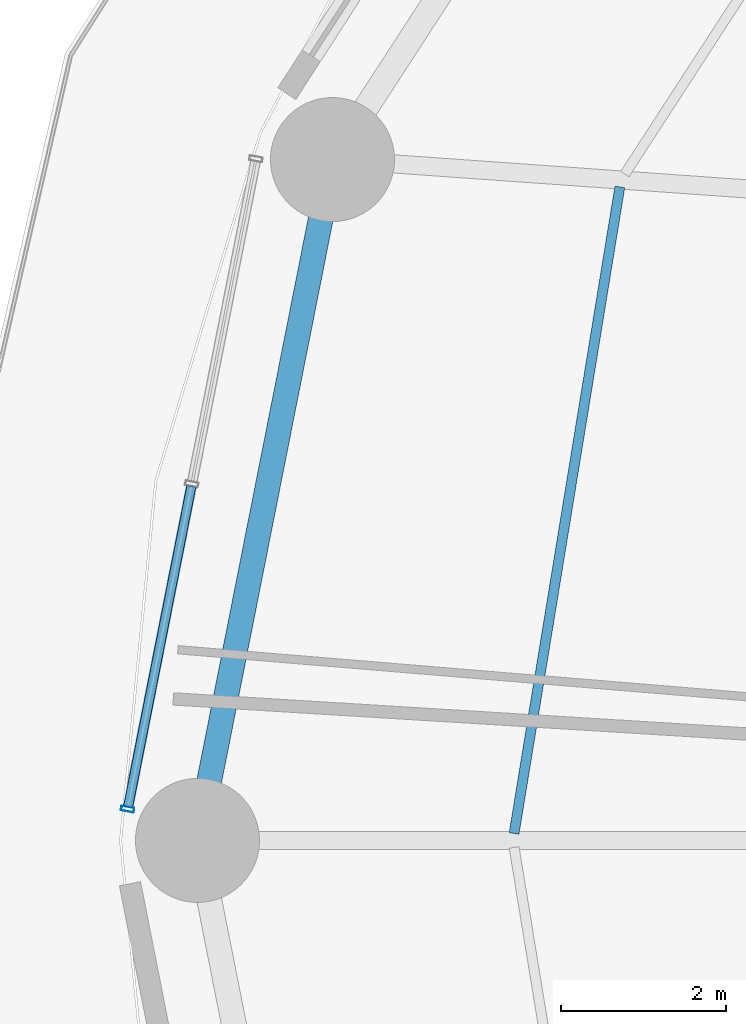
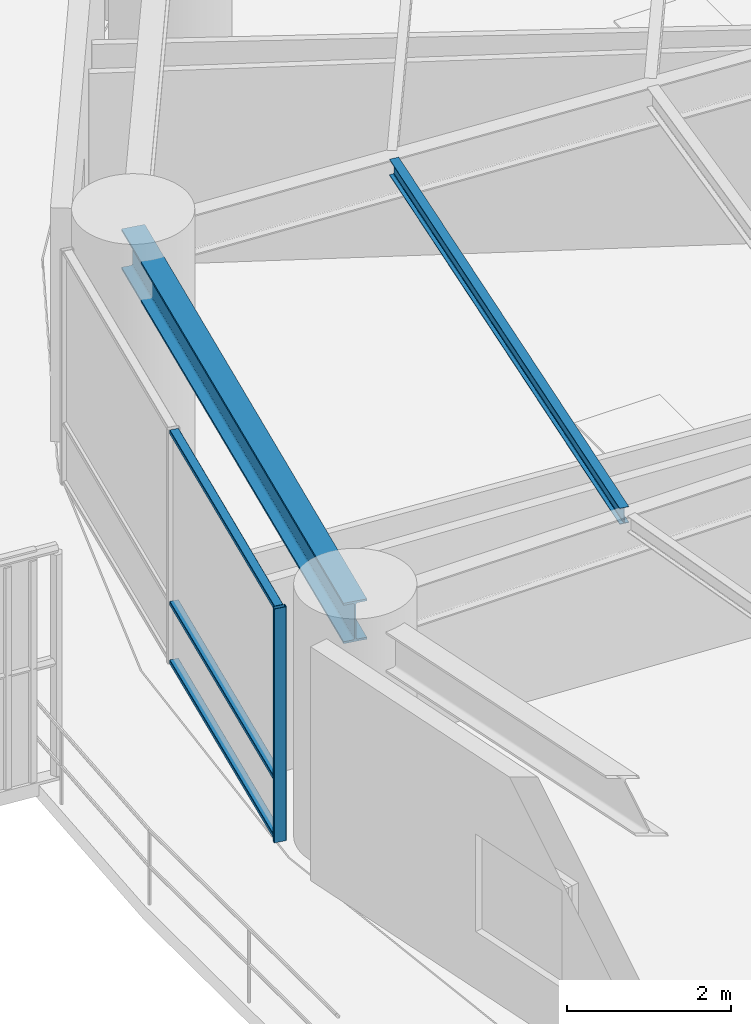
# One storey, part 6 of 32: 4 members, 2 beams, 1 element without a shape of its own.
"""IFC4 building model written with IfcOpenShell, lengths in metres."""

import ifcopenshell
import ifcopenshell.guid

model = None  # the IFC model being written
_history = None  # IfcOwnerHistory: only IFC2X3 demands one
_inside = {}  # id of a spatial element -> (the spatial element, [elements in it])
_under = {}  # id of a project, library or spatial element -> (it, [spatial elements below it])
_declared = {}  # id of a project -> (the project, [libraries it declares])
_typed = {}  # id of a type object -> (the type object, [elements of that type])
_made_of = {}  # id of a material, layer set ... -> (it, [elements and type objects made of it])


def new_model(schema):
    """Start an empty IFC model of exactly this schema.

    Asked for "IFC4X3", IfcOpenShell would pick the latest addendum, in which some entities
    have other attributes; the version numbers below select the first issue.
    IFC2X3 requires an IfcOwnerHistory on every rooted entity: one is made here for all.
    """
    global model, _history
    if schema == "IFC4X3":
        model = ifcopenshell.file(schema_version=(4, 3, 0, 0))
    else:
        model = ifcopenshell.file(schema=schema)
    _inside.clear()
    _under.clear()
    _declared.clear()
    _typed.clear()
    _made_of.clear()
    _history = None
    if model.schema == "IFC2X3":
        org = make("IfcOrganization", Name="unknown")
        user = make(
            "IfcPersonAndOrganization",
            ThePerson=make("IfcPerson", FamilyName="unknown"),
            TheOrganization=org,
        )
        app = make(
            "IfcApplication",
            ApplicationDeveloper=org,
            Version="unknown",
            ApplicationFullName="unknown",
            ApplicationIdentifier="unknown",
        )
        _history = make(
            "IfcOwnerHistory",
            OwningUser=user,
            OwningApplication=app,
            ChangeAction="ADDED",
            CreationDate=0,
        )
    return model


def make(cls, **values):
    """One entity of the class cls with the attributes given. An attribute that is None is left unset."""
    return model.create_entity(
        cls, **{name: value for name, value in values.items() if value is not None}
    )


def rooted(cls, **values):
    """An entity with a GlobalId (a new one), such as an element, a storey or a relation."""
    return make(cls, GlobalId=ifcopenshell.guid.new(), OwnerHistory=_history, **values)


def si_unit(unit_type, name, prefix=None):
    """IfcSIUnit, for example si_unit("LENGTHUNIT", "METRE", prefix="MILLI")."""
    return make("IfcSIUnit", UnitType=unit_type, Prefix=prefix, Name=name)


def assignment(units):
    """IfcUnitAssignment: the units of a project."""
    return None if units is None else make("IfcUnitAssignment", Units=units)


def point(xyz):
    """IfcCartesianPoint."""
    return None if xyz is None else make("IfcCartesianPoint", Coordinates=xyz)


def direction(xyz):
    """IfcDirection."""
    return None if xyz is None else make("IfcDirection", DirectionRatios=xyz)


def frame(location, z_axis=None, x_axis=None):
    """IfcAxis2Placement3D, a coordinate frame: its origin and axes. An axis left out is left unset."""
    return make(
        "IfcAxis2Placement3D",
        Location=point(location),
        Axis=direction(z_axis),
        RefDirection=direction(x_axis),
    )


def frame_2d(location, x_axis=None):
    """IfcAxis2Placement2D, a coordinate frame in the plane: its origin and x axis."""
    return make(
        "IfcAxis2Placement2D", Location=point(location), RefDirection=direction(x_axis)
    )


def origin():
    """The frame at (0, 0, 0) with its axes left unset."""
    return frame((0.0, 0.0, 0.0))


def origin_2d():
    """The frame at (0, 0) in the plane with its x axis left unset."""
    return frame_2d((0.0, 0.0))


def place(relative_to, where):
    """IfcLocalPlacement: puts the frame where relative to a parent placement (None: the world)."""
    return make(
        "IfcLocalPlacement", PlacementRelTo=relative_to, RelativePlacement=where
    )


def context(
    kind, dimensions, precision=None, world=None, true_north=None, identifier=None
):
    """IfcGeometricRepresentationContext, for example the 3D "Model" context."""
    return make(
        "IfcGeometricRepresentationContext",
        ContextIdentifier=identifier,
        ContextType=kind,
        CoordinateSpaceDimension=dimensions,
        Precision=precision,
        WorldCoordinateSystem=world,
        TrueNorth=true_north,
    )


def subcontext(parent, identifier, kind, view, scale=None):
    """IfcGeometricRepresentationSubContext, for example "Body" below "Model"."""
    return make(
        "IfcGeometricRepresentationSubContext",
        ContextIdentifier=identifier,
        ContextType=kind,
        ParentContext=parent,
        TargetScale=scale,
        TargetView=view,
    )


def project(units=None, contexts=None):
    """IfcProject with its units and contexts."""
    return rooted(
        "IfcProject",
        Name="project",
        RepresentationContexts=contexts,
        UnitsInContext=assignment(units),
    )


def spatial(cls, under=None, at=None, **own):
    """A site, building, storey or space (cls), placed at a placement, below another one or the project."""
    s = rooted(cls, ObjectPlacement=at, **own)
    if under is not None:
        _under.setdefault(under.id(), (under, []))[1].append(s)
    return s


def profile(cls, at=None, kind="AREA", **sizes):
    """A parametric profile (cls). Its sizes go by their IFC names, for example OverallWidth=200.0."""
    return make(cls, ProfileType=kind, Position=at, **sizes)


def hollow_rectangle(**sizes):
    """IfcRectangleHollowProfileDef."""
    return profile("IfcRectangleHollowProfileDef", **sizes)


def i_section(**sizes):
    """IfcIShapeProfileDef."""
    return profile("IfcIShapeProfileDef", **sizes)


def extrude(swept, where, along, depth):
    """IfcExtrudedAreaSolid: the profile swept, set in the frame where, extruded along a direction by depth."""
    return make(
        "IfcExtrudedAreaSolid",
        SweptArea=swept,
        Position=where,
        ExtrudedDirection=direction(along),
        Depth=depth,
    )


def shape(context_of_items, identifier, shape_type, items):
    """IfcShapeRepresentation: the items that make up one representation, for example the "Body"."""
    return make(
        "IfcShapeRepresentation",
        ContextOfItems=context_of_items,
        RepresentationIdentifier=identifier,
        RepresentationType=shape_type,
        Items=items,
    )


def material(Name=None, Category=None):
    """IfcMaterial."""
    return make("IfcMaterial", Name=Name, Category=Category)


def layer(
    of_material, thickness, ventilated=None, Name=None, Category=None, Priority=None
):
    """IfcMaterialLayer: one layer of a wall or slab, of a material (None: an air gap)."""
    return make(
        "IfcMaterialLayer",
        Material=of_material,
        LayerThickness=thickness,
        IsVentilated=ventilated,
        Name=Name,
        Category=Category,
        Priority=Priority,
    )


def layer_set(layers, Name=None):
    """IfcMaterialLayerSet."""
    return make("IfcMaterialLayerSet", MaterialLayers=layers, LayerSetName=Name)


def material_profile(
    of_material, cross_section, Name=None, Category=None, Priority=None
):
    """IfcMaterialProfile: a cross section and its material."""
    return make(
        "IfcMaterialProfile",
        Name=Name,
        Material=of_material,
        Profile=cross_section,
        Priority=Priority,
        Category=Category,
    )


def profile_set(profiles, Name=None, composite=None):
    """IfcMaterialProfileSet."""
    return make(
        "IfcMaterialProfileSet",
        Name=Name,
        MaterialProfiles=profiles,
        CompositeProfile=composite,
    )


def made_of(thing, what):
    """Note that an element or type object is made of a material, layer set ...; save() writes the relation."""
    if what is not None:
        _made_of.setdefault(what.id(), (what, []))[1].append(thing)
    return thing


def type_object(cls, material=None, **own):
    """A type object (cls), such as IfcWallType, which elements share."""
    return made_of(rooted(cls, **own), material)


def element(
    cls,
    number,
    at=None,
    inside=None,
    cuts=None,
    type_object=None,
    material=None,
    context=None,
    identifier="Body",
    shape_type=None,
    held_by="IfcProductDefinitionShape",
    body=None,
    shapes=None,
    **own,
):
    """One element of the class cls, such as IfcWall. Its Tag is "e" and its number.

    at: its placement. inside: the storey or other place that contains it. cuts: it is an
    opening in that element (IfcRelVoidsElement). A single representation is given by context,
    identifier, shape_type and body (its items); several are given by shapes. held_by: the class
    of the entity that holds the representations. save() writes the other relations.
    """
    e = rooted(cls, Tag="e%d" % number, ObjectPlacement=at, **own)
    if body is not None:
        shapes = [shape(context, identifier, shape_type, body)]
    if shapes is not None:
        e.Representation = make(held_by, Representations=shapes)
    if inside is not None:
        _inside.setdefault(inside.id(), (inside, []))[1].append(e)
    if cuts is not None:
        rooted(
            "IfcRelVoidsElement", RelatingBuildingElement=cuts, RelatedOpeningElement=e
        )
    if type_object is not None:
        _typed.setdefault(type_object.id(), (type_object, []))[1].append(e)
    return made_of(e, material)


def aggregate(whole, parts):
    """IfcRelAggregates: a whole, such as a stair, and the parts it consists of."""
    return rooted("IfcRelAggregates", RelatingObject=whole, RelatedObjects=parts)


def save(model, path):
    """Write the relations noted so far, then the file.

    IfcRelAggregates (storeys below a building ...), IfcRelContainedInSpatialStructure (elements
    in a storey), IfcRelDefinesByType, IfcRelAssociatesMaterial and IfcRelDeclares: one each for
    every whole, place, type object, material and project.
    """
    for whole, parts in _under.values():
        aggregate(whole, parts)
    for where, things in _inside.values():
        rooted(
            "IfcRelContainedInSpatialStructure",
            RelatedElements=things,
            RelatingStructure=where,
        )
    for kind, things in _typed.values():
        rooted("IfcRelDefinesByType", RelatedObjects=things, RelatingType=kind)
    for what, things in _made_of.values():
        rooted("IfcRelAssociatesMaterial", RelatedObjects=things, RelatingMaterial=what)
    for by, libraries in _declared.values():
        rooted("IfcRelDeclares", RelatingContext=by, RelatedDefinitions=libraries)
    model.write(path)


model = new_model("IFC4")

# Units and contexts
model_context = context("Model", 3, precision=1e-05, world=origin(), true_north=direction((0.0, 1.0)))
body_context = subcontext(model_context, "Body", "Model", "MODEL_VIEW")
ifc_project = project(units=[si_unit("LENGTHUNIT", "METRE"), si_unit("AREAUNIT", "SQUARE_METRE"), si_unit("VOLUMEUNIT", "CUBIC_METRE"), si_unit("PLANEANGLEUNIT", "RADIAN"), si_unit("MASSUNIT", "GRAM", prefix="KILO")], contexts=[model_context])

# Site, building, storey
site_placement = place(None, origin())
site = spatial("IfcSite", under=ifc_project, at=site_placement, CompositionType="ELEMENT")
building_placement = place(site_placement, origin())
building = spatial("IfcBuilding", under=site, at=building_placement, Name="Kelanora Arch Commons", CompositionType="ELEMENT")
storey_placement = place(building_placement, frame((0.0, 0.0, 56.25)))
storey = spatial("IfcBuildingStorey", under=building, at=storey_placement, Name="L14", CompositionType="ELEMENT", Elevation=56.25)

# Beams
ifc_material_1 = material(Name="Steel S355", Category="steel")
ifc_material_profile_1 = material_profile(ifc_material_1, i_section(OverallWidth=0.1201171875, OverallDepth=0.239990234375, WebThickness=0.006103515625, FlangeThickness=0.009765625, FilletRadius=0.014892578125, at=origin_2d()), Name="IPE240")
ifc_profile_set_1 = profile_set([ifc_material_profile_1], Name="Steel S355")
beam_type_1 = type_object("IfcBeamType", Name="BM-JST-02", PredefinedType="JOIST", material=ifc_profile_set_1)
beam_1_placement = place(storey_placement, frame((52.02880859375, 65.90478515625, 3.3701171875), z_axis=(-0.161400737199, -0.986888951216, 0.0), x_axis=(0.986888951216, -0.161400737199, 0.0)))
element("IfcBeam", 1, at=beam_1_placement, inside=storey, type_object=beam_type_1, Name="Secondary Chord Joist BJC-16 L14", PredefinedType="JOIST", context=body_context, shape_type="SweptSolid", body=[
    extrude(i_section(OverallWidth=0.1201171875, OverallDepth=0.239990234375, WebThickness=0.006103515625, FlangeThickness=0.009765625, FilletRadius=0.014892578125, at=origin_2d()), origin(), (0.0, 0.0, 1.0), 7.9248046875),
])
ifc_material_profile_2 = material_profile(ifc_material_1, i_section(OverallWidth=0.300048828125, OverallDepth=0.60009765625, WebThickness=0.015380859375, FlangeThickness=0.030029296875, FilletRadius=0.027099609375, at=origin_2d()), Name="HEB600")
ifc_profile_set_2 = profile_set([ifc_material_profile_2], Name="Steel S355")
beam_type_2 = type_object("IfcBeamType", Name="BM-SPN-Z1", PredefinedType="SPANDREL", material=ifc_profile_set_2)
beam_2_placement = place(storey_placement, frame((48.552978515625, 66.23583984375, 3.18994140625), z_axis=(-0.194499827256, -0.980902552345, 0.0), x_axis=(0.980902552345, -0.194499827256, 0.0)))
element("IfcBeam", 2, at=beam_2_placement, inside=storey, type_object=beam_type_2, Name="Perimeter Spandrel Beam BS-16 L14", PredefinedType="SPANDREL", context=body_context, shape_type="SweptSolid", body=[
    extrude(i_section(OverallWidth=0.300048828125, OverallDepth=0.60009765625, WebThickness=0.015380859375, FlangeThickness=0.030029296875, FilletRadius=0.027099609375, at=origin_2d()), origin(), (0.0, 0.0, 1.0), 8.396240234375),
])

# Curtain wall, members
ifc_material_2 = material(Name="Terracotta ceramic-fritted low-E glass and aluminium", Category="masonry")
ifc_layer = layer(ifc_material_2, 0.159912109375)
ifc_layer_set = layer_set([ifc_layer], Name="Terracotta ceramic-fritted low-E glass and aluminium")
curtain_wall_type = type_object("IfcCurtainWallType", Name="CW-SYS-01", PredefinedType="NOTDEFINED", material=ifc_layer_set)
curtain_wall_placement = place(storey_placement, origin())
curtain_wall = element("IfcCurtainWall", 3, at=curtain_wall_placement, inside=storey, type_object=curtain_wall_type, Name="Unitised Curtain Wall L14-B08", PredefinedType="NOTDEFINED")
ifc_material_3 = material(Name="Powder-coated aluminium terracotta", Category="masonry")
ifc_material_profile_3 = material_profile(ifc_material_3, hollow_rectangle(XDim=0.159912109375, YDim=0.06005859375, WallThickness=0.0048828125, InnerFilletRadius=0.0048828125, OuterFilletRadius=0.010009765625, at=origin_2d()), Name="CWM160x60")
ifc_profile_set_3 = profile_set([ifc_material_profile_3], Name="Powder-coated aluminium terracotta")
member_type_1 = type_object("IfcMemberType", Name="CWM-STD", PredefinedType="MULLION", material=ifc_profile_set_3)
member_1_placement = place(storey_placement, frame((46.074951171875, 58.379150390625, 0.0), z_axis=(0.0, 0.0, 1.0), x_axis=(0.981052110579, -0.193744048498, 0.0)))
member_1 = element("IfcMember", 4, at=member_1_placement, type_object=member_type_1, Name="CW-01 mullion 3", PredefinedType="MULLION", context=body_context, shape_type="SweptSolid", body=[
    extrude(hollow_rectangle(XDim=0.159912109375, YDim=0.06005859375, WallThickness=0.0048828125, InnerFilletRadius=0.0048828125, OuterFilletRadius=0.010009765625, at=origin_2d()), origin(), (0.0, 0.0, 1.0), 3.47509765625),
])
ifc_material_profile_4 = material_profile(ifc_material_3, hollow_rectangle(XDim=0.1201171875, YDim=0.06005859375, WallThickness=0.0048828125, InnerFilletRadius=0.0048828125, OuterFilletRadius=0.010009765625, at=origin_2d()), Name="CWT120x60")
ifc_profile_set_4 = profile_set([ifc_material_profile_4], Name="Powder-coated aluminium terracotta")
member_type_2 = type_object("IfcMemberType", Name="CWT-STD", PredefinedType="USERDEFINED", material=ifc_profile_set_4)
member_2_placement = place(storey_placement, frame((46.845703125, 62.281982421875, 0.030029296875), z_axis=(-0.193725436624, -0.98105578598, 0.0), x_axis=(0.98105578598, -0.193725436624, 0.0)))
member_2 = element("IfcMember", 5, at=member_2_placement, type_object=member_type_2, Name="CW-01 transom 2.1", ObjectType="TRANSOM", PredefinedType="USERDEFINED", context=body_context, shape_type="SweptSolid", body=[
    extrude(hollow_rectangle(XDim=0.1201171875, YDim=0.06005859375, WallThickness=0.0048828125, InnerFilletRadius=0.0048828125, OuterFilletRadius=0.010009765625, at=origin_2d()), origin(), (0.0, 0.0, 1.0), 3.9482421875),
])
member_3_placement = place(storey_placement, frame((46.845703125, 62.281982421875, 0.89990234375), z_axis=(-0.193725436624, -0.98105578598, 0.0), x_axis=(0.98105578598, -0.193725436624, 0.0)))
member_3 = element("IfcMember", 6, at=member_3_placement, type_object=member_type_2, Name="CW-01 transom 2.2", ObjectType="TRANSOM", PredefinedType="USERDEFINED", context=body_context, shape_type="SweptSolid", body=[
    extrude(hollow_rectangle(XDim=0.1201171875, YDim=0.06005859375, WallThickness=0.0048828125, InnerFilletRadius=0.0048828125, OuterFilletRadius=0.010009765625, at=origin_2d()), origin(), (0.0, 0.0, 1.0), 3.9482421875),
])
member_4_placement = place(storey_placement, frame((46.845703125, 62.281982421875, 3.445068359375), z_axis=(-0.193725436624, -0.98105578598, 0.0), x_axis=(0.98105578598, -0.193725436624, 0.0)))
member_4 = element("IfcMember", 7, at=member_4_placement, type_object=member_type_2, Name="CW-01 transom 2.3", ObjectType="TRANSOM", PredefinedType="USERDEFINED", context=body_context, shape_type="SweptSolid", body=[
    extrude(hollow_rectangle(XDim=0.1201171875, YDim=0.06005859375, WallThickness=0.0048828125, InnerFilletRadius=0.0048828125, OuterFilletRadius=0.010009765625, at=origin_2d()), origin(), (0.0, 0.0, 1.0), 3.9482421875),
])
aggregate(curtain_wall, [member_1, member_2, member_3, member_4])

save(model, "model.ifc")
